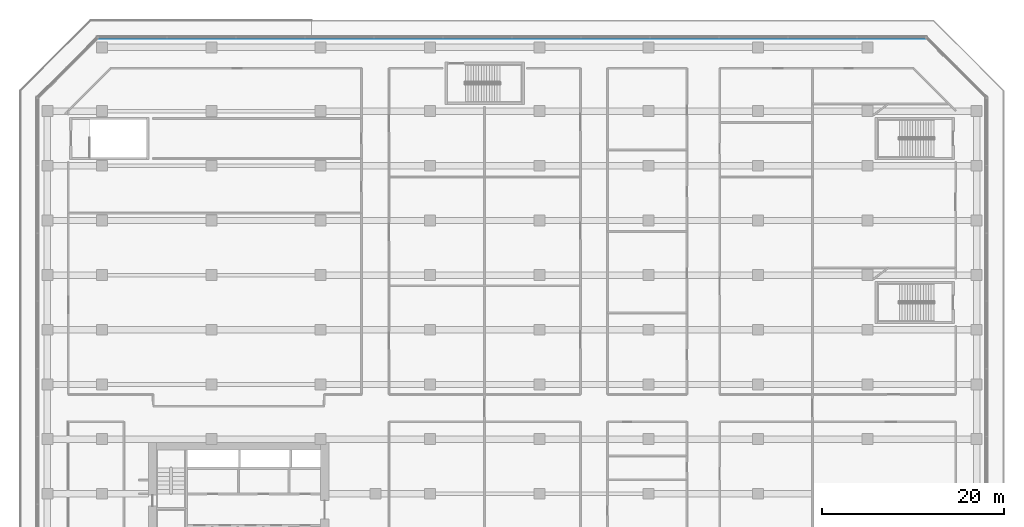
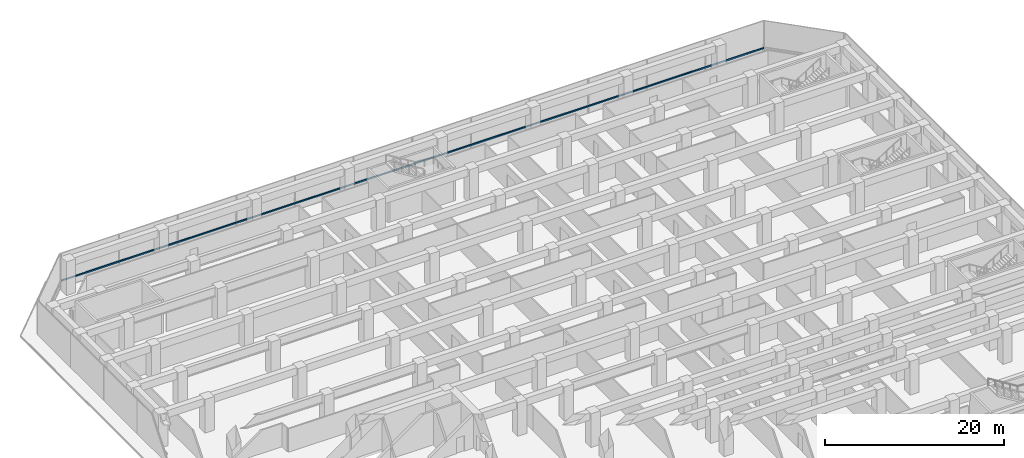
# One storey, part 21 of 40: 1 member, 1 element without a shape of its own.
"""IFC4 building model written with IfcOpenShell, lengths in metres."""

from ifc_helpers import new_model, si_unit, direction, frame, origin, origin_2d, place, context, subcontext, project, spatial, rectangle, extrude, material, layer, layer_set, material_profile, profile_set, type_object, element, aggregate, save


model = new_model("IFC4")

# Units and contexts
model_context = context("Model", 3, precision=1e-05, world=origin(), true_north=direction((0.0, 1.0)))
body_context = subcontext(model_context, "Body", "Model", "MODEL_VIEW")
ifc_project = project(units=[si_unit("LENGTHUNIT", "METRE"), si_unit("AREAUNIT", "SQUARE_METRE"), si_unit("VOLUMEUNIT", "CUBIC_METRE"), si_unit("PLANEANGLEUNIT", "RADIAN"), si_unit("MASSUNIT", "GRAM", prefix="KILO")], contexts=[model_context])

# Site, building, storey
site_placement = place(None, origin())
site = spatial("IfcSite", under=ifc_project, at=site_placement, CompositionType="ELEMENT")
building_placement = place(site_placement, origin())
building = spatial("IfcBuilding", under=site, at=building_placement, Name="Welwitschia Terrace Campus", CompositionType="ELEMENT")
storey_placement = place(building_placement, frame((0.0, 0.0, 6.0)))
storey = spatial("IfcBuildingStorey", under=building, at=storey_placement, Name="L01", CompositionType="ELEMENT", Elevation=6.0)

# Curtain wall, member
ifc_material_1 = material(Name="Bronze anodised aluminium", Category="aluminium")
ifc_layer = layer(ifc_material_1, 0.14990234375)
ifc_layer_set = layer_set([ifc_layer], Name="Bronze anodised aluminium")
curtain_wall_type = type_object("IfcCurtainWallType", Name="Curtain wall CW1 podium 7500", PredefinedType="NOTDEFINED", material=ifc_layer_set)
curtain_wall_placement = place(storey_placement, origin())
curtain_wall = element("IfcCurtainWall", 1, at=curtain_wall_placement, inside=storey, type_object=curtain_wall_type, Name="CW L01.4.0", PredefinedType="NOTDEFINED")
ifc_material_2 = material(Name="Bronze anodised aluminium", Category="aluminium")
ifc_material_profile = material_profile(ifc_material_2, rectangle(XDim=0.080078125, YDim=0.199951171875, at=origin_2d()))
ifc_profile_set = profile_set([ifc_material_profile], Name="Bronze anodised aluminium")
member_type = type_object("IfcMemberType", Name="Transom 80x200", PredefinedType="USERDEFINED", material=ifc_profile_set)
member_placement = place(storey_placement, frame((90.369384765625, 69.969970703125, 1.0), z_axis=(-1.0, 0.0, 0.0), x_axis=(0.0, -1.0, 0.0)))
member = element("IfcMember", 2, at=member_placement, type_object=member_type, Name="Transom L01.4.0", ObjectType="TRANSOM", PredefinedType="USERDEFINED", context=body_context, shape_type="SweptSolid", body=[
    extrude(rectangle(XDim=0.080078125, YDim=0.199951171875, at=origin_2d()), origin(), (0.0, 0.0, 1.0), 90.73876953125),
])
aggregate(curtain_wall, [member])

save(model, "model.ifc")
